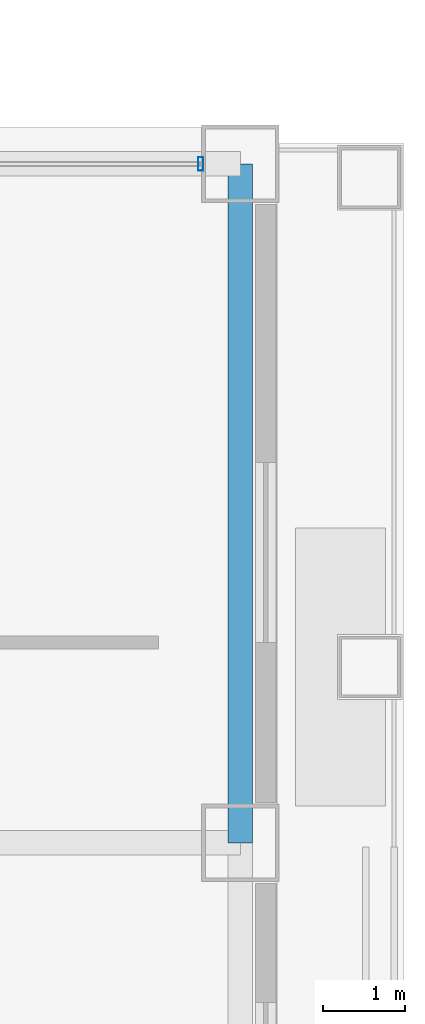
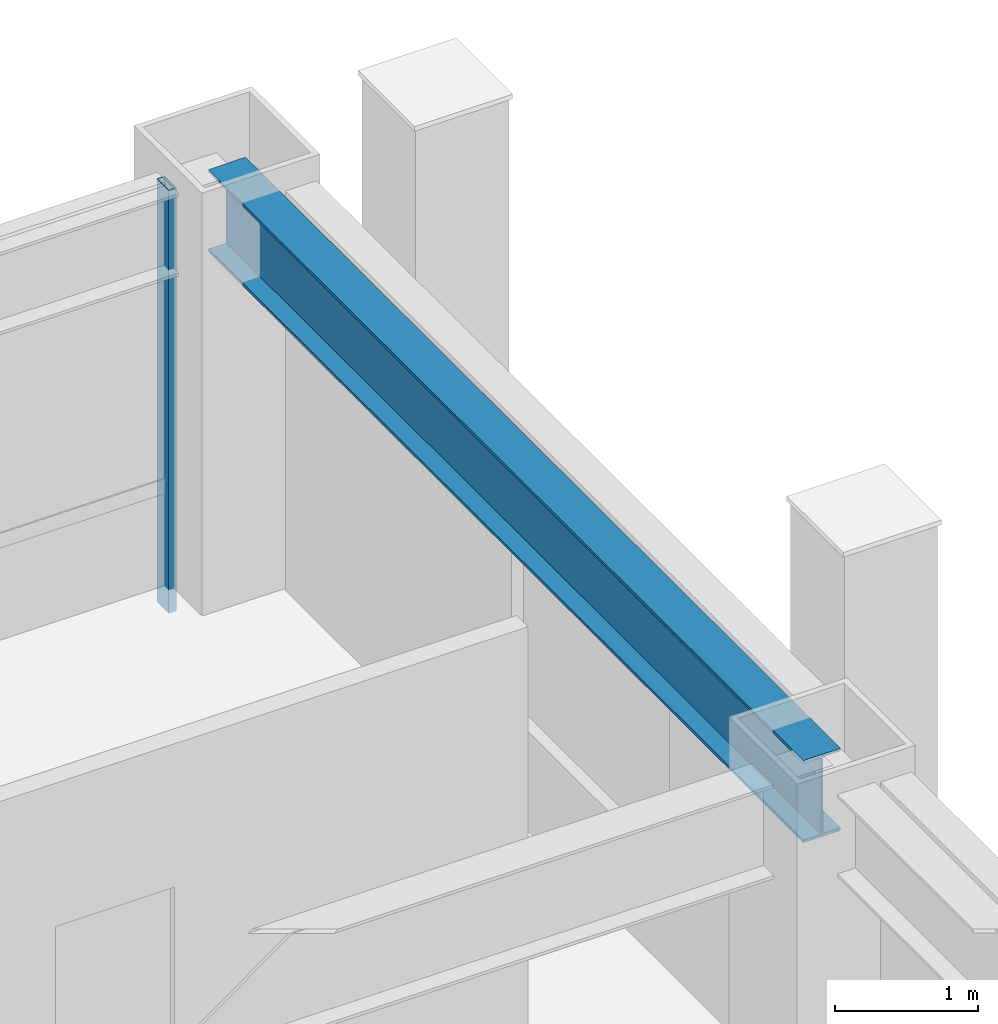
# One storey, part 23 of 31: 1 beam, 1 member, 1 element without a shape of its own.
"""IFC4 building model written with IfcOpenShell, lengths in metres."""

from ifc_helpers import new_model, si_unit, direction, frame, origin, origin_2d, place, context, subcontext, project, spatial, hollow_rectangle, i_section, extrude, material, layer, layer_set, material_profile, profile_set, type_object, element, aggregate, save


model = new_model("IFC4")

# Units and contexts
model_context = context("Model", 3, precision=1e-05, world=origin(), true_north=direction((0.0, 1.0)))
body_context = subcontext(model_context, "Body", "Model", "MODEL_VIEW")
ifc_project = project(units=[si_unit("LENGTHUNIT", "METRE"), si_unit("AREAUNIT", "SQUARE_METRE"), si_unit("VOLUMEUNIT", "CUBIC_METRE"), si_unit("PLANEANGLEUNIT", "RADIAN"), si_unit("MASSUNIT", "GRAM", prefix="KILO")], contexts=[model_context])

# Site, building, storey
site_placement = place(None, origin())
site = spatial("IfcSite", under=ifc_project, at=site_placement, CompositionType="ELEMENT")
building_placement = place(site_placement, origin())
building = spatial("IfcBuilding", under=site, at=building_placement, Name="Brelmoor Portico Tower", CompositionType="ELEMENT")
storey_placement = place(building_placement, frame((0.0, 0.0, 31.199951171875)))
storey = spatial("IfcBuildingStorey", under=building, at=storey_placement, Name="L07", CompositionType="ELEMENT", Elevation=31.199951171875)

# Beam
ifc_material_1 = material(Name="Steel Q355B", Category="steel")
ifc_material_profile_1 = material_profile(ifc_material_1, i_section(OverallWidth=0.300048828125, OverallDepth=0.699951171875, WebThickness=0.012939453125, FlangeThickness=0.02392578125, at=origin_2d()), Name="HN 700x300x13x24")
ifc_profile_set_1 = profile_set([ifc_material_profile_1], Name="Steel Q355B")
beam_type = type_object("IfcBeamType", Name="BM-SP-700", PredefinedType="SPANDREL", material=ifc_profile_set_1)
beam_placement = place(storey_placement, frame((24.550048828125, 9.75, 3.050048828125), z_axis=(0.0, 1.0, 0.0), x_axis=(-1.0, 0.0, 0.0)))
element("IfcBeam", 1, at=beam_placement, inside=storey, type_object=beam_type, Name="L07 Perimeter Spandrel Beam SP-24", PredefinedType="SPANDREL", context=body_context, shape_type="SweptSolid", body=[
    extrude(i_section(OverallWidth=0.300048828125, OverallDepth=0.699951171875, WebThickness=0.012939453125, FlangeThickness=0.02392578125, at=origin_2d()), origin(), (0.0, 0.0, 1.0), 8.300048828125),
])

# Curtain wall, member
ifc_material_2 = material(Name="Anodised Aluminium Alloy 6063-T6", Category="aluminium")
ifc_layer = layer(ifc_material_2, 0.179931640625)
ifc_layer_set = layer_set([ifc_layer], Name="Anodised Aluminium Alloy 6063-T6")
curtain_wall_type = type_object("IfcCurtainWallType", Name="CW-NOTCH-CHAMFER", PredefinedType="NOTDEFINED", material=ifc_layer_set)
curtain_wall_placement = place(storey_placement, origin())
curtain_wall = element("IfcCurtainWall", 2, at=curtain_wall_placement, inside=storey, type_object=curtain_wall_type, Name="L07 Curtain Wall CWN-L07-NEH", PredefinedType="NOTDEFINED")
ifc_material_profile_2 = material_profile(ifc_material_2, hollow_rectangle(XDim=0.06494140625, YDim=0.1650390625, WallThickness=0.00390625, at=origin_2d()), Name="ALU MULLION 65x165")
ifc_profile_set_2 = profile_set([ifc_material_profile_2], Name="Anodised Aluminium Alloy 6063-T6")
member_type = type_object("IfcMemberType", Name="MB-CW-MULL-165", PredefinedType="MULLION", material=ifc_profile_set_2)
member_placement = place(storey_placement, frame((24.06494140625, 18.050048828125, -0.199951171875), z_axis=(0.0, 0.0, 1.0), x_axis=(1.0, 0.0, 0.0)))
member = element("IfcMember", 3, at=member_placement, type_object=member_type, Name="CWN-L07-NEH Mullion 01", PredefinedType="MULLION", context=body_context, shape_type="SweptSolid", body=[
    extrude(hollow_rectangle(XDim=0.06494140625, YDim=0.1650390625, WallThickness=0.00390625, at=origin_2d()), origin(), (0.0, 0.0, 1.0), 3.60009765625),
])
aggregate(curtain_wall, [member])

save(model, "model.ifc")
